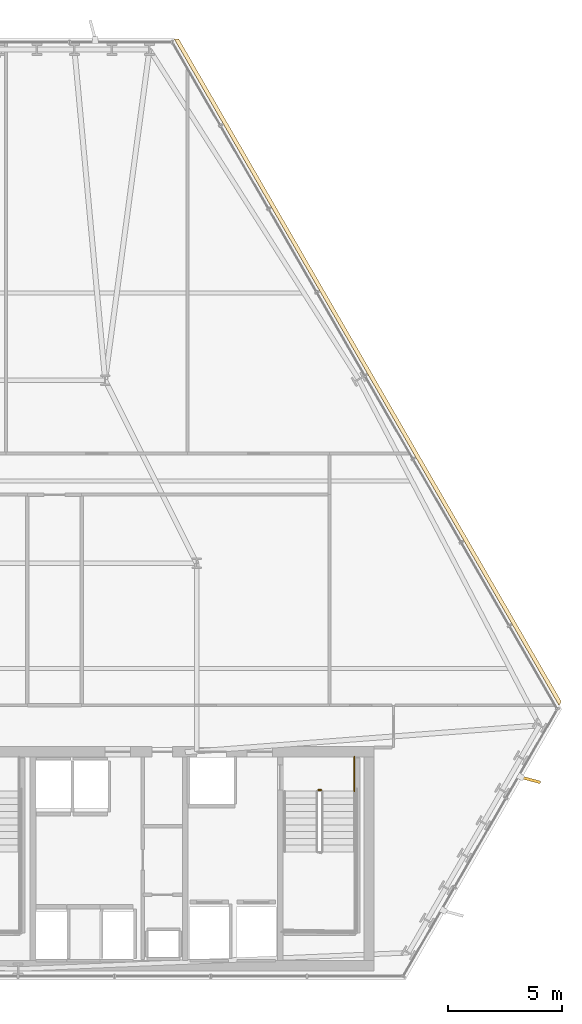
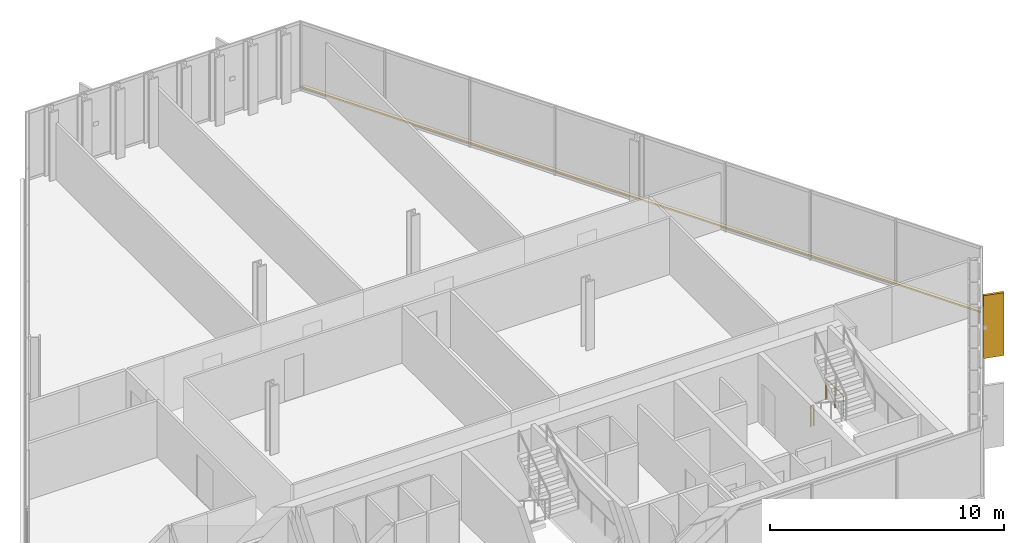
# One storey, part 30 of 31: 2 railings, 1 covering, 1 shading device.
"""IFC4 building model written with IfcOpenShell, lengths in metres."""

from ifc_helpers import new_model, si_unit, direction, frame, origin, origin_2d, place, context, subcontext, project, spatial, polyline, rectangle, circle, outline, extrude, material, layer, layer_set, type_object, element, save


model = new_model("IFC4")

# Units and contexts
model_context = context("Model", 3, precision=1e-05, world=origin(), true_north=direction((0.0, 1.0)))
body_context = subcontext(model_context, "Body", "Model", "MODEL_VIEW")
ifc_project = project(units=[si_unit("LENGTHUNIT", "METRE"), si_unit("AREAUNIT", "SQUARE_METRE"), si_unit("VOLUMEUNIT", "CUBIC_METRE"), si_unit("PLANEANGLEUNIT", "RADIAN"), si_unit("MASSUNIT", "GRAM", prefix="KILO")], contexts=[model_context])

# Site, building, storey
site_placement = place(None, origin())
site = spatial("IfcSite", under=ifc_project, at=site_placement, CompositionType="ELEMENT")
building_placement = place(site_placement, origin())
building = spatial("IfcBuilding", under=site, at=building_placement, Name="Ndaravel Arena Tower", CompositionType="ELEMENT")
storey_placement = place(building_placement, frame((0.0, 0.0, 100.60009765625)))
storey = spatial("IfcBuildingStorey", under=building, at=storey_placement, Name="L23", CompositionType="ELEMENT", Elevation=100.60009765625)

# Covering
ifc_material_1 = material(Name="Roofing Membrane", Category="finish")
ifc_layer_1 = layer(ifc_material_1, 0.080078125)
ifc_layer_set_1 = layer_set([ifc_layer_1], Name="Roofing Membrane")
covering_type = type_object("IfcCoveringType", Name="COV-ROOF-MEMB", PredefinedType="ROOFING", material=ifc_layer_set_1)
covering_placement = place(storey_placement, origin())
element("IfcCovering", 1, at=covering_placement, inside=storey, type_object=covering_type, Name="L23 Facet Setback Weathering Flashing", PredefinedType="ROOFING", context=body_context, shape_type="SweptSolid", body=[
    extrude(outline(polyline([(49.02099609375, 46.093994140625), (65.7255859375, 17.16064453125), (65.627685546875, 16.990966796875), (48.8251953125, 46.093994140625), (49.02099609375, 46.093994140625)])), origin(), (0.0, 0.0, 1.0), 0.079833984375),
])

# Railings
ifc_material_2 = material(Name="Steel S355", Category="steel")
ifc_layer_2 = layer(ifc_material_2, 0.06005859375)
ifc_layer_set_2 = layer_set([ifc_layer_2], Name="Steel S355")
railing_type = type_object("IfcRailingType", Name="RAIL-STAIR-GD1100", PredefinedType="GUARDRAIL", material=ifc_layer_set_2)
railing_1_placement = place(storey_placement, frame((55.10009765625, 13.300048828125, 0.0)))
element("IfcRailing", 2, at=railing_1_placement, inside=storey, type_object=railing_type, Name="L23 ST-3 stair guard 4", PredefinedType="GUARDRAIL", context=body_context, shape_type="SweptSolid", body=[
    extrude(circle(Radius=0.02392578125, at=origin_2d()), frame((0.0, 0.0, 1.076171875), z_axis=(1.0, 0.0, 0.0), x_axis=(0.0, 1.0, 0.0)), (0.0, 0.0, 1.0), 0.139892578125),
    extrude(circle(Radius=0.02099609375, at=origin_2d()), origin(), (0.0, 0.0, 1.0), 1.052001953125),
    extrude(circle(Radius=0.02099609375, at=origin_2d()), frame((0.139892578125, 0.0, 0.0)), (0.0, 0.0, 1.0), 1.052001953125),
])
railing_2_placement = place(storey_placement, frame((56.68994140625, 14.75, 0.0)))
element("IfcRailing", 3, at=railing_2_placement, inside=storey, type_object=railing_type, Name="L23 ST-3 stair guard 5", PredefinedType="GUARDRAIL", context=body_context, shape_type="SweptSolid", body=[
    extrude(circle(Radius=0.02392578125, at=origin_2d()), frame((0.0, 0.0, 1.076171875), z_axis=(0.0, -1.0, 0.0), x_axis=(1.0, 0.0, 0.0)), (0.0, 0.0, 1.0), 1.5),
    extrude(circle(Radius=0.02099609375, at=origin_2d()), origin(), (0.0, 0.0, 1.0), 1.052001953125),
    extrude(circle(Radius=0.02099609375, at=origin_2d()), frame((0.0, -0.75, 0.0)), (0.0, 0.0, 1.0), 1.052001953125),
    extrude(circle(Radius=0.02099609375, at=origin_2d()), frame((0.0, -1.5, 0.0)), (0.0, 0.0, 1.0), 1.052001953125),
])

# Shading device
ifc_material_3 = material(Name="Masonry", Category="masonry")
shading_device_type = type_object("IfcShadingDeviceType", Name="SHD-MAZERAS-FIN", PredefinedType="SHUTTER", material=ifc_material_3)
shading_device_placement = place(storey_placement, frame((64.376220703125, 13.747314453125, 0.14990234375), z_axis=(0.0, 0.0, 1.0), x_axis=(0.965925826289, -0.258819045103, 0.0)))
element("IfcShadingDevice", 4, at=shading_device_placement, inside=storey, type_object=shading_device_type, Name="L23 Mazeras Stone Solar Fin E2.2", PredefinedType="SHUTTER", context=body_context, shape_type="SweptSolid", body=[
    extrude(rectangle(XDim=0.89990234375, YDim=0.1201171875, at=origin_2d()), origin(), (0.0, 0.0, 1.0), 3.280029296875),
])

save(model, "model.ifc")
